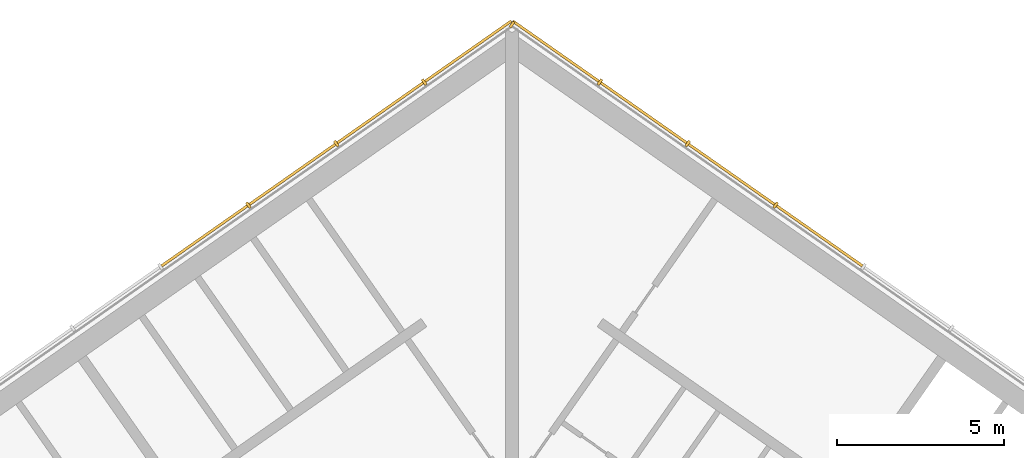
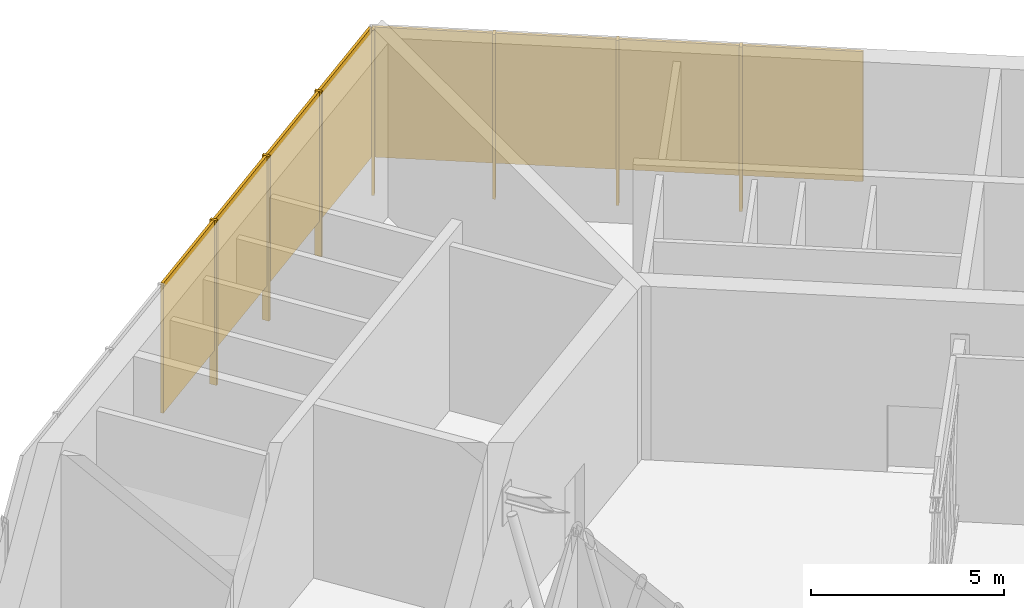
# One storey, part 16 of 16: 15 shading devices.
"""IFC4 building model written with IfcOpenShell, lengths in metres."""

from ifc_helpers import new_model, si_unit, direction, frame, origin, origin_2d, place, context, subcontext, project, spatial, rectangle, extrude, material, layer, layer_set, type_object, element, save


model = new_model("IFC4")

# Units and contexts
model_context = context("Model", 3, precision=1e-05, world=origin(), true_north=direction((0.0, 1.0)))
body_context = subcontext(model_context, "Body", "Model", "MODEL_VIEW")
ifc_project = project(units=[si_unit("LENGTHUNIT", "METRE"), si_unit("AREAUNIT", "SQUARE_METRE"), si_unit("VOLUMEUNIT", "CUBIC_METRE"), si_unit("PLANEANGLEUNIT", "RADIAN"), si_unit("MASSUNIT", "GRAM", prefix="KILO")], contexts=[model_context])

# Site, building, storey
site_placement = place(None, origin())
site = spatial("IfcSite", under=ifc_project, at=site_placement, CompositionType="ELEMENT")
building_placement = place(site_placement, origin())
building = spatial("IfcBuilding", under=site, at=building_placement, Name="Tel Ilan Convention Tower", CompositionType="ELEMENT")
storey_placement = place(building_placement, frame((0.0, 0.0, 313.300048828125)))
storey = spatial("IfcBuildingStorey", under=building, at=storey_placement, Name="L74", CompositionType="ELEMENT", Elevation=313.300048828125)

# Shading devices
ifc_material_1 = material(Name="Perforated aluminium sheet, bronze anodised", Category="aluminium")
ifc_layer_1 = layer(ifc_material_1, 0.080078125)
ifc_layer_set_1 = layer_set([ifc_layer_1], Name="PERFORATED SCREEN 80")
shading_device_type_1 = type_object("IfcShadingDeviceType", Name="PERFORATED SCREEN 80", PredefinedType="USERDEFINED", material=ifc_layer_set_1)
for number, where, z_axis, x_axis, name in (
    (1, (9.214111328125, 6.3662109375, 1.099853515625), (0.0, 0.0, 1.0), (-0.819152044289, 0.573576436351, 0.0), "SCREEN"),
    (2, (6.58154296875, 8.209716796875, 1.099853515625), (0.0, 0.0, 1.0), (-0.819152044289, 0.573576436351, 0.0), "SCREEN"),
    (3, (3.948974609375, 10.052978515625, 1.099853515625), (0.0, 0.0, 1.0), (-0.819152044289, 0.573576436351, 0.0), "SCREEN"),
    (4, (1.31640625, 11.896484375, 1.099853515625), (0.0, 0.0, 1.0), (-0.819152044289, 0.573576436351, 0.0), "SCREEN"),
    (5, (-1.31640625, 11.896484375, 1.099853515625), (0.0, 0.0, 1.0), (-0.819152044289, -0.573576436351, 0.0), "SCREEN"),
    (6, (-3.948974609375, 10.052978515625, 1.099853515625), (0.0, 0.0, 1.0), (-0.819152044289, -0.573576436351, 0.0), "SCREEN"),
    (7, (-6.58154296875, 8.209716796875, 1.099853515625), (0.0, 0.0, 1.0), (-0.819152044289, -0.573576436351, 0.0), "SCREEN"),
    (8, (-9.214111328125, 6.3662109375, 1.099853515625), (0.0, 0.0, 1.0), (-0.819152044289, -0.573576436351, 0.0), "SCREEN"),
):
    element("IfcShadingDevice", number, at=place(storey_placement, frame(where, z_axis=z_axis, x_axis=x_axis)), inside=storey, type_object=shading_device_type_1, Name=name, ObjectType="SCREEN", PredefinedType="USERDEFINED", context=body_context, shape_type="SweptSolid", body=[
        extrude(rectangle(XDim=3.15380859375, YDim=0.080078125, at=origin_2d()), origin(), (0.0, 0.0, 1.0), 4.1201171875),
    ])
ifc_material_2 = material(Name="Perforated aluminium sheet, bronze anodised", Category="aluminium")
ifc_layer_2 = layer(ifc_material_2, 0.080078125)
ifc_layer_set_2 = layer_set([ifc_layer_2], Name="SCREEN CORNER CLOSURE 80x200")
shading_device_type_2 = type_object("IfcShadingDeviceType", Name="SCREEN CORNER CLOSURE 80x200", PredefinedType="USERDEFINED", material=ifc_layer_set_2)
shading_device_placement = place(storey_placement, frame((0.0, 12.696044921875, 0.0), z_axis=(0.0, 0.0, 1.0), x_axis=(-0.819152044289, 0.573576436351, 0.0)))
element("IfcShadingDevice", 9, at=shading_device_placement, inside=storey, type_object=shading_device_type_2, Name="SCREEN", ObjectType="SCREEN", PredefinedType="USERDEFINED", context=body_context, shape_type="SweptSolid", body=[
    extrude(rectangle(XDim=0.080078125, YDim=0.199951171875, at=origin_2d()), origin(), (0.0, 0.0, 1.0), 5.219970703125),
])
ifc_material_3 = material(Name="Aluminium, bronze anodised", Category="aluminium")
ifc_layer_3 = layer(ifc_material_3, 0.080078125)
ifc_layer_set_3 = layer_set([ifc_layer_3], Name="SCREEN POST 80x200")
shading_device_type_3 = type_object("IfcShadingDeviceType", Name="SCREEN POST 80x200", PredefinedType="USERDEFINED", material=ifc_layer_set_3)
for number, where, z_axis, x_axis, name in (
    (10, (7.89794921875, 7.2880859375, 0.0), (0.0, 0.0, 1.0), (-0.819152044289, 0.573576436351, 0.0), "Screen post"),
    (11, (5.26513671875, 9.13134765625, 0.0), (0.0, 0.0, 1.0), (-0.819152044289, 0.573576436351, 0.0), "Screen post"),
    (12, (2.632568359375, 10.974853515625, 0.0), (0.0, 0.0, 1.0), (-0.819152044289, 0.573576436351, 0.0), "Screen post"),
    (13, (-2.632568359375, 10.974853515625, 0.0), (0.0, 0.0, 1.0), (-0.819152044289, -0.573576436351, 0.0), "Screen post"),
    (14, (-5.26513671875, 9.13134765625, 0.0), (0.0, 0.0, 1.0), (-0.819152044289, -0.573576436351, 0.0), "Screen post"),
    (15, (-7.89794921875, 7.2880859375, 0.0), (0.0, 0.0, 1.0), (-0.819152044289, -0.573576436351, 0.0), "Screen post"),
):
    element("IfcShadingDevice", number, at=place(storey_placement, frame(where, z_axis=z_axis, x_axis=x_axis)), inside=storey, type_object=shading_device_type_3, Name=name, ObjectType="SCREEN POST", PredefinedType="USERDEFINED", context=body_context, shape_type="SweptSolid", body=[
        extrude(rectangle(XDim=0.080078125, YDim=0.199951171875, at=origin_2d()), origin(), (0.0, 0.0, 1.0), 5.219970703125),
    ])

save(model, "model.ifc")
